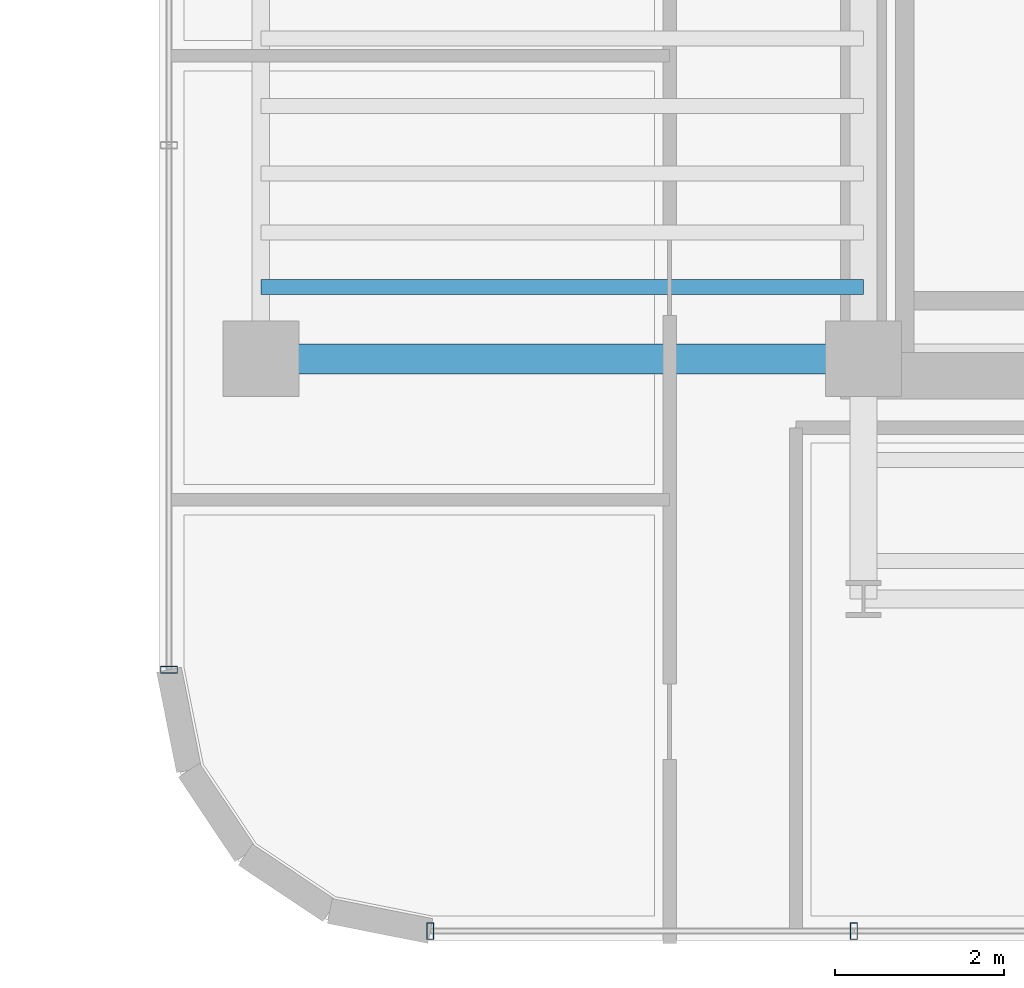
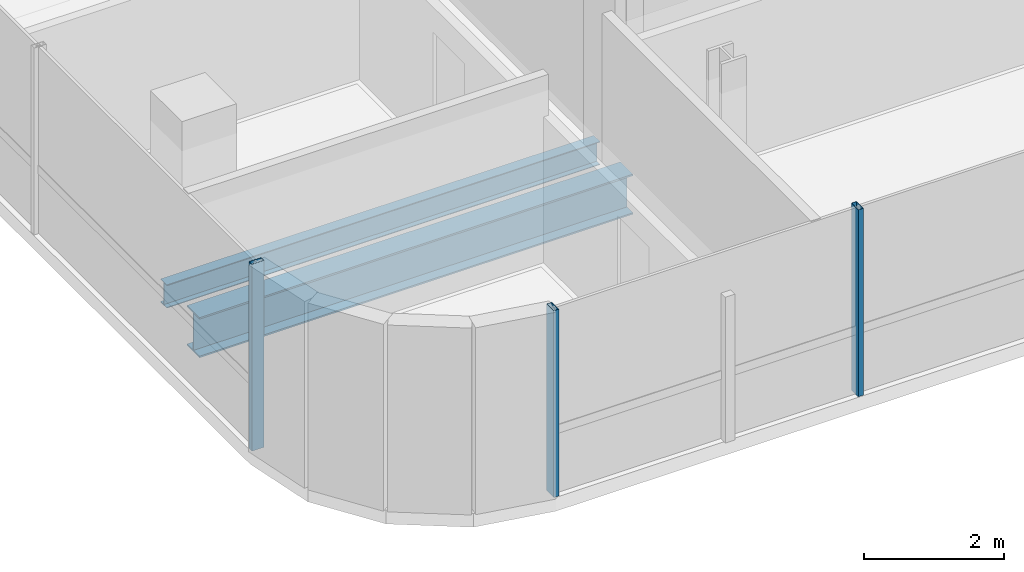
# One storey, part 2 of 21: 3 members, 2 beams, 2 elements without a shape of their own.
"""IFC4 building model written with IfcOpenShell, lengths in metres."""

from ifc_helpers import new_model, si_unit, direction, frame, origin, origin_2d, place, context, subcontext, project, spatial, hollow_rectangle, i_section, extrude, source, transform, mapped, material, material_profile, profile_set, type_object, element, aggregate, save


model = new_model("IFC4")

# Units and contexts
model_context = context("Model", 3, precision=1e-05, world=origin(), true_north=direction((0.0, 1.0)))
body_context = subcontext(model_context, "Body", "Model", "MODEL_VIEW")
ifc_project = project(units=[si_unit("LENGTHUNIT", "METRE"), si_unit("AREAUNIT", "SQUARE_METRE"), si_unit("VOLUMEUNIT", "CUBIC_METRE"), si_unit("PLANEANGLEUNIT", "RADIAN"), si_unit("MASSUNIT", "GRAM", prefix="KILO")], contexts=[model_context])

# Site, building, storey
site_placement = place(None, origin())
site = spatial("IfcSite", under=ifc_project, at=site_placement, CompositionType="ELEMENT")
building_placement = place(site_placement, origin())
building = spatial("IfcBuilding", under=site, at=building_placement, Name="Valdorenza Pilgrim Sanctuary Tower", CompositionType="ELEMENT")
storey_placement = place(building_placement, frame((0.0, 0.0, 223.0)))
storey = spatial("IfcBuildingStorey", under=building, at=storey_placement, Name="L57", CompositionType="ELEMENT", Elevation=223.0)

# Beams
ifc_material_1 = material(Name="Steel ASTM A992 Grade 50", Category="steel")
ifc_material_profile_1 = material_profile(ifc_material_1, i_section(OverallWidth=0.35595703125, OverallDepth=0.700927734375, WebThickness=0.016845703125, FlangeThickness=0.02734375, at=origin_2d()), Name="W27X161")
ifc_profile_set_1 = profile_set([ifc_material_profile_1], Name="Steel ASTM A992 Grade 50")
beam_type_1 = type_object("IfcBeamType", Name="STR-BM-GRD-W27", PredefinedType="BEAM", material=ifc_profile_set_1)
shared_shape_1 = source(origin(), body_context, "Body", "SweptSolid", [
    extrude(i_section(OverallWidth=0.35595703125, OverallDepth=0.700927734375, WebThickness=0.016845703125, FlangeThickness=0.02734375, at=origin_2d()), origin(), (0.0, 0.0, 1.0), 7.150146484375),
])
beam_1_placement = place(storey_placement, frame((-29.800048828125, -10.60009765625, -0.590576171875), z_axis=(1.0, 0.0, 0.0), x_axis=(0.0, 1.0, 0.0)))
element("IfcBeam", 1, at=beam_1_placement, inside=storey, type_object=beam_type_1, Name="L57 Floor Girder WA-XW-S1", PredefinedType="BEAM", context=body_context, shape_type="MappedRepresentation", body=[
    mapped(shared_shape_1, transform((0.0, 0.0, 0.0), x_axis=(1.0, 0.0, 0.0), y_axis=(0.0, 1.0, 0.0), z_axis=(0.0, 0.0, 1.0), scale=1.0)),
])
ifc_material_profile_2 = material_profile(ifc_material_1, i_section(OverallWidth=0.177978515625, OverallDepth=0.406005859375, WebThickness=0.0078125, FlangeThickness=0.0126953125, at=origin_2d()), Name="W16X40")
ifc_profile_set_2 = profile_set([ifc_material_profile_2], Name="Steel ASTM A992 Grade 50")
beam_type_2 = type_object("IfcBeamType", Name="STR-BM-JST-W16", PredefinedType="JOIST", material=ifc_profile_set_2)
shared_shape_2 = source(origin(), body_context, "Body", "SweptSolid", [
    extrude(i_section(OverallWidth=0.177978515625, OverallDepth=0.406005859375, WebThickness=0.0078125, FlangeThickness=0.0126953125, at=origin_2d()), origin(), (0.0, 0.0, 1.0), 7.150146484375),
])
beam_2_placement = place(storey_placement, frame((-29.800048828125, -9.75, -0.443115234375), z_axis=(1.0, 0.0, 0.0), x_axis=(0.0, 1.0, 0.0)))
element("IfcBeam", 2, at=beam_2_placement, inside=storey, type_object=beam_type_2, Name="L57 Composite Floor Joist JST-WA-1", PredefinedType="JOIST", context=body_context, shape_type="MappedRepresentation", body=[
    mapped(shared_shape_2, transform((0.0, 0.0, 0.0), x_axis=(1.0, 0.0, 0.0), y_axis=(0.0, 1.0, 0.0), z_axis=(0.0, 0.0, 1.0), scale=1.0)),
])

# Curtain wall, member
ifc_material_2 = material(Name="Curtain-wall IGU glazing", Category="glass")
curtain_wall_type = type_object("IfcCurtainWallType", Name="CW-SYS-02", PredefinedType="NOTDEFINED", material=ifc_material_2)
curtain_wall_1_placement = place(storey_placement, origin())
curtain_wall_1 = element("IfcCurtainWall", 3, at=curtain_wall_1_placement, inside=storey, type_object=curtain_wall_type, Name="L57 Curtain Wall CW-L57-1-1S1", PredefinedType="NOTDEFINED")
ifc_material_3 = material(Name="Anodised aluminium AW-6060", Category="aluminium")
ifc_material_profile_3 = material_profile(ifc_material_3, hollow_rectangle(XDim=0.0849609375, YDim=0.199951171875, WallThickness=0.0048828125, at=origin_2d()), Name="ALU-M 200x85x5")
ifc_profile_set_3 = profile_set([ifc_material_profile_3], Name="Anodised aluminium AW-6060")
member_type = type_object("IfcMemberType", Name="CW-MUL-02", PredefinedType="MULLION", material=ifc_profile_set_3)
shared_shape_3 = source(origin(), body_context, "Body", "SweptSolid", [
    extrude(hollow_rectangle(XDim=0.0849609375, YDim=0.199951171875, WallThickness=0.0048828125, at=origin_2d()), origin(), (0.0, 0.0, 1.0), 3.260009765625),
])
member_1_placement = place(storey_placement, frame((-30.889892578125, -14.289306640625, 0.0), z_axis=(0.0, 0.0, 1.0), x_axis=(0.0, 1.0, 0.0)))
member_1 = element("IfcMember", 4, at=member_1_placement, type_object=member_type, Name="CW-L57-1-1S1 Mullion 1", PredefinedType="MULLION", context=body_context, shape_type="MappedRepresentation", body=[
    mapped(shared_shape_3, transform((0.0, 0.0, 0.0), x_axis=(1.0, 0.0, 0.0), y_axis=(0.0, 1.0, 0.0), z_axis=(0.0, 0.0, 1.0), scale=1.0)),
])
aggregate(curtain_wall_1, [member_1])

# Curtain wall, members
curtain_wall_2_placement = place(storey_placement, origin())
curtain_wall_2 = element("IfcCurtainWall", 5, at=curtain_wall_2_placement, inside=storey, type_object=curtain_wall_type, Name="L57 Curtain Wall CW-L57-1-26", PredefinedType="NOTDEFINED")
member_2_placement = place(storey_placement, frame((-22.76318359375, -17.389892578125, 0.0), z_axis=(0.0, 0.0, 1.0), x_axis=(-1.0, 0.0, 0.0)))
member_2 = element("IfcMember", 6, at=member_2_placement, type_object=member_type, Name="CW-L57-1-26 Mullion 3", PredefinedType="MULLION", context=body_context, shape_type="MappedRepresentation", body=[
    mapped(shared_shape_3, transform((0.0, 0.0, 0.0), x_axis=(1.0, 0.0, 0.0), y_axis=(0.0, 1.0, 0.0), z_axis=(0.0, 0.0, 1.0), scale=1.0)),
])
member_3_placement = place(storey_placement, frame((-27.789306640625, -17.389892578125, 0.0), z_axis=(0.0, 0.0, 1.0), x_axis=(-1.0, 0.0, 0.0)))
member_3 = element("IfcMember", 7, at=member_3_placement, type_object=member_type, Name="CW-L57-1-26 Mullion 4", PredefinedType="MULLION", context=body_context, shape_type="MappedRepresentation", body=[
    mapped(shared_shape_3, transform((0.0, 0.0, 0.0), x_axis=(1.0, 0.0, 0.0), y_axis=(0.0, 1.0, 0.0), z_axis=(0.0, 0.0, 1.0), scale=1.0)),
])
aggregate(curtain_wall_2, [member_2, member_3])

save(model, "model.ifc")
